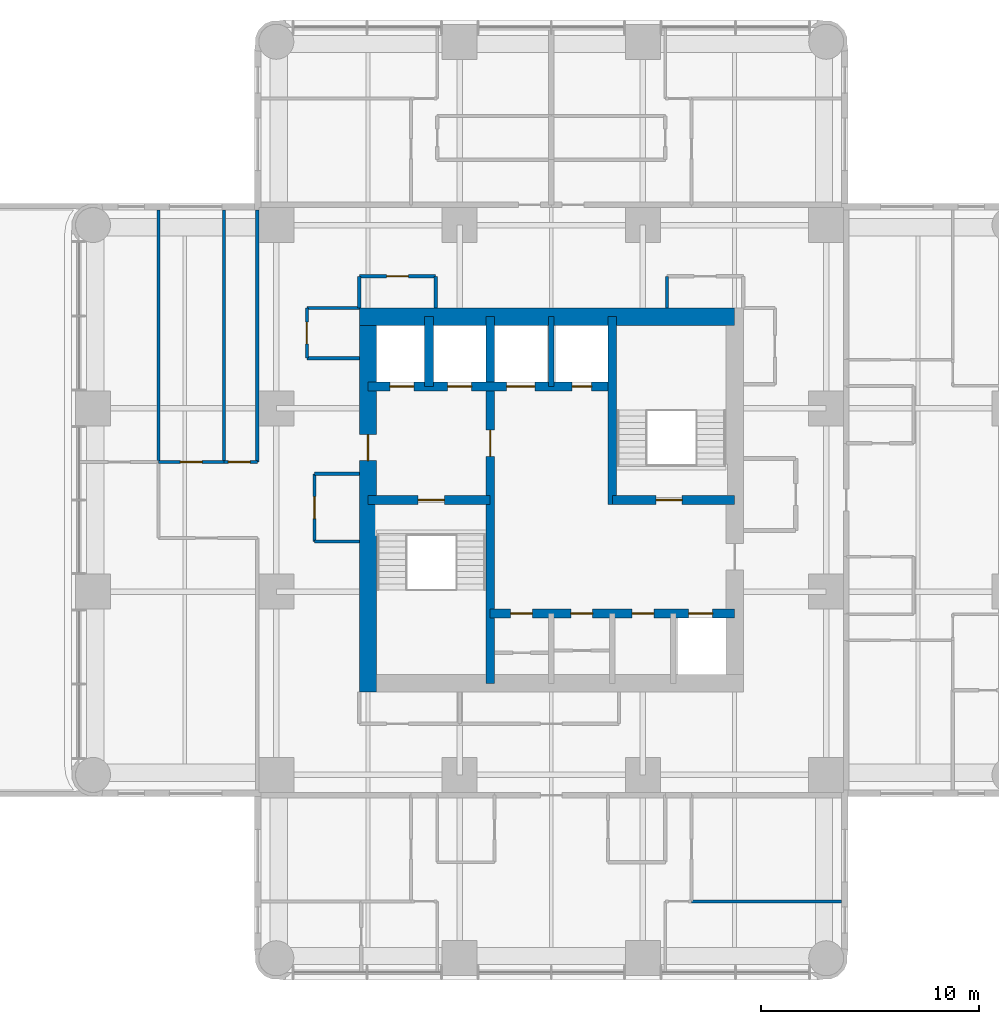
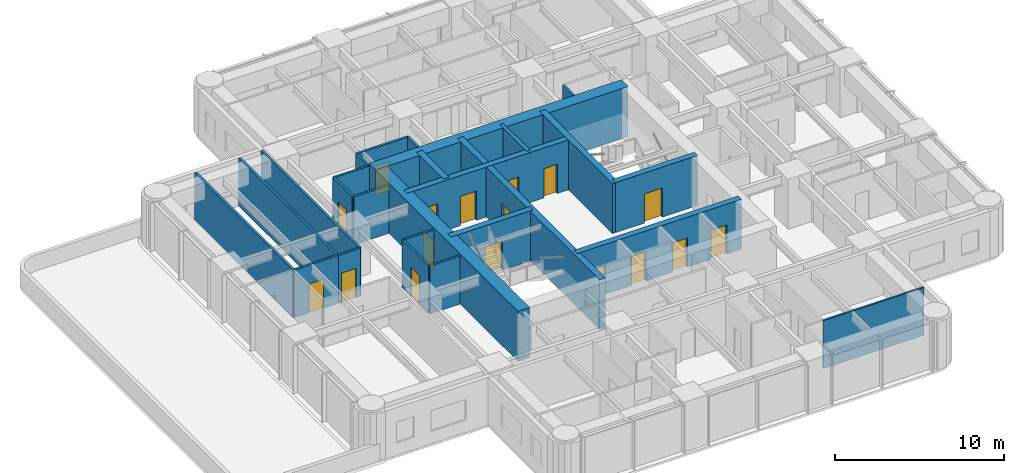
# One storey, part 5 of 9: 26 walls, 17 doors, 17 openings.
"""IFC4 building model written with IfcOpenShell, lengths in metres."""

from ifc_helpers import new_model, si_unit, direction, frame, frame_2d, origin, place, context, subcontext, project, spatial, rectangle, extrude, material, layer, layer_set, type_object, element, fill, save


model = new_model("IFC4")

# Units and contexts
model_context = context("Model", 3, precision=1e-05, world=origin(), true_north=direction((0.0, 1.0)))
body_context = subcontext(model_context, "Body", "Model", "MODEL_VIEW")
ifc_project = project(units=[si_unit("LENGTHUNIT", "METRE"), si_unit("AREAUNIT", "SQUARE_METRE"), si_unit("VOLUMEUNIT", "CUBIC_METRE"), si_unit("PLANEANGLEUNIT", "RADIAN"), si_unit("MASSUNIT", "GRAM", prefix="KILO")], contexts=[model_context])

# Site, building, storey
site_placement = place(None, origin())
site = spatial("IfcSite", under=ifc_project, at=site_placement, CompositionType="ELEMENT")
building_placement = place(site_placement, origin())
building = spatial("IfcBuilding", under=site, at=building_placement, Name="Torre Alcanfor", CompositionType="ELEMENT")
storey_placement = place(building_placement, frame((0.0, 0.0, 254.10009765625)))
storey = spatial("IfcBuildingStorey", under=building, at=storey_placement, Name="L66", CompositionType="ELEMENT", Elevation=254.10009765625)

# Wall
ifc_material_1 = material(Name="Gypsum board on steel studs", Category="steel")
ifc_layer_1 = layer(ifc_material_1, 0.1201171875)
ifc_layer_set_1 = layer_set([ifc_layer_1], Name="Apartment partition 120")
wall_type_1 = type_object("IfcWallType", Name="Apartment partition 120", PredefinedType="PARTITIONING", material=ifc_layer_set_1)
wall_1_placement = place(storey_placement, frame((35.8291015625, 11.0, 0.0), z_axis=(0.0, 0.0, 1.0), x_axis=(1.0, 0.0, 0.0)))
element("IfcWall", 1, at=wall_1_placement, inside=storey, type_object=wall_type_1, Name="Partition L66-SX-BED2 / L66-SX-MASTER", PredefinedType="PARTITIONING", context=body_context, shape_type="SweptSolid", body=[
    extrude(rectangle(XDim=6.870849609375, YDim=0.1201171875, at=frame_2d((3.435546875, 0.0))), origin(), (0.0, 0.0, 1.0), 3.449951171875),
])

# Wall, opening, door
ifc_material_2 = material(Name="Concrete f'c 70 MPa", Category="concrete")
ifc_layer_2 = layer(ifc_material_2, 0.39990234375)
ifc_layer_set_2 = layer_set([ifc_layer_2], Name="Core inner wall 400 f'c70")
wall_type_2 = type_object("IfcWallType", Name="Core inner wall 400 f'c70", PredefinedType="SHEAR", material=ifc_layer_set_2)
wall_2_placement = place(storey_placement, frame((26.60009765625, 21.0, 0.0), z_axis=(0.0, 0.0, 1.0), x_axis=(0.0, 1.0, 0.0)))
wall_2 = element("IfcWall", 2, at=wall_2_placement, inside=storey, type_object=wall_type_2, Name="Core wall X266 L66", PredefinedType="SHEAR", context=body_context, shape_type="SweptSolid", body=[
    extrude(rectangle(XDim=16.800048828125, YDim=0.39990234375, at=frame_2d((8.39990234375, 0.0))), origin(), (0.0, 0.0, 1.0), 3.599853515625),
])
opening_1_placement = place(wall_2_placement, frame((10.39990234375, 0.0, 0.0)))
opening_1 = element("IfcOpeningElement", 3, at=opening_1_placement, cuts=wall_2, Name="Opening D-L1", PredefinedType="OPENING", context=body_context, shape_type="SweptSolid", body=[
    extrude(rectangle(XDim=1.199951171875, YDim=2.10009765625, at=frame_2d((0.60009765625, 1.050048828125))), frame((0.0, 0.2099609375, 0.0), z_axis=(0.0, -1.0, 0.0), x_axis=(1.0, 0.0, 0.0)), (0.0, 0.0, 1.0), 0.419921875),
])
ifc_material_3 = material(Name="Galvanised steel sheet ASTM A653", Category="steel")
door_type_1 = type_object("IfcDoorType", Name="Lobby door FD120 1200x2100", OperationType="SINGLE_SWING_LEFT", PredefinedType="DOOR", material=ifc_material_3)
door_1_placement = place(opening_1_placement, origin())
door_1 = element("IfcDoor", 4, at=door_1_placement, inside=storey, type_object=door_type_1, Name="Lift lobby door L66", OperationType="SINGLE_SWING_LEFT", OverallHeight=2.10009765625, OverallWidth=1.199951171875, PredefinedType="DOOR", context=body_context, shape_type="SweptSolid", body=[
    extrude(rectangle(XDim=1.199951171875, YDim=2.10009765625, at=frame_2d((0.60009765625, 1.050048828125))), frame((0.0, 0.02490234375, 0.0), z_axis=(0.0, -1.0, 0.0), x_axis=(1.0, 0.0, 0.0)), (0.0, 0.0, 1.0), 0.050048828125),
])
fill(opening_1, door_1)

wall_3_placement = place(storey_placement, frame((21.0, 29.39990234375, 0.0), z_axis=(0.0, 0.0, 1.0), x_axis=(1.0, 0.0, 0.0)))
wall_3 = element("IfcWall", 5, at=wall_3_placement, inside=storey, type_object=wall_type_2, Name="Core wall Y294W L66", PredefinedType="SHEAR", context=body_context, shape_type="SweptSolid", body=[
    extrude(rectangle(XDim=5.60009765625, YDim=0.39990234375, at=frame_2d((2.800048828125, 0.0))), origin(), (0.0, 0.0, 1.0), 3.599853515625),
])
opening_2_placement = place(wall_3_placement, frame((2.300048828125, 0.0, 0.0)))
opening_2 = element("IfcOpeningElement", 6, at=opening_2_placement, cuts=wall_3, Name="Opening D-S2", PredefinedType="OPENING", context=body_context, shape_type="SweptSolid", body=[
    extrude(rectangle(XDim=1.199951171875, YDim=2.10009765625, at=frame_2d((0.60009765625, 1.050048828125))), frame((0.0, 0.2099609375, 0.0), z_axis=(0.0, -1.0, 0.0), x_axis=(1.0, 0.0, 0.0)), (0.0, 0.0, 1.0), 0.419921875),
])
ifc_material_4 = material(Name="Galvanised steel sheet ASTM A653", Category="steel")
door_type_2 = type_object("IfcDoorType", Name="Stair enclosure door FD120 1200x2100", OperationType="SINGLE_SWING_LEFT", PredefinedType="DOOR", material=ifc_material_4)
door_2_placement = place(opening_2_placement, frame((1.199951171875, 0.0, 0.0), z_axis=(0.0, 0.0, 1.0), x_axis=(-1.0, 0.0, 0.0)))
door_2 = element("IfcDoor", 7, at=door_2_placement, inside=storey, type_object=door_type_2, Name="Stair S1 door L66", OperationType="SINGLE_SWING_LEFT", OverallHeight=2.10009765625, OverallWidth=1.199951171875, PredefinedType="DOOR", context=body_context, shape_type="SweptSolid", body=[
    extrude(rectangle(XDim=1.199951171875, YDim=2.10009765625, at=frame_2d((0.599853515625, 1.050048828125))), frame((0.0, 0.025146484375, 0.0), z_axis=(0.0, -1.0, 0.0), x_axis=(1.0, 0.0, 0.0)), (0.0, 0.0, 1.0), 0.050048828125),
])
fill(opening_2, door_2)

# Wall, openings, doors
wall_4_placement = place(storey_placement, frame((21.0, 34.60009765625, 0.0), z_axis=(0.0, 0.0, 1.0), x_axis=(1.0, 0.0, 0.0)))
wall_4 = element("IfcWall", 8, at=wall_4_placement, inside=storey, type_object=wall_type_2, Name="Core wall Y346 L66", PredefinedType="SHEAR", context=body_context, shape_type="SweptSolid", body=[
    extrude(rectangle(XDim=11.199951171875, YDim=0.39990234375, at=frame_2d((5.60009765625, 0.0))), origin(), (0.0, 0.0, 1.0), 3.599853515625),
])
opening_3_placement = place(wall_4_placement, frame((9.35009765625, 0.0, 0.0)))
opening_3 = element("IfcOpeningElement", 9, at=opening_3_placement, cuts=wall_4, Name="Opening D-Q1", PredefinedType="OPENING", context=body_context, shape_type="SweptSolid", body=[
    extrude(rectangle(XDim=0.89990234375, YDim=2.10009765625, at=frame_2d((0.449951171875, 1.050048828125))), frame((0.0, 0.2099609375, 0.0), z_axis=(0.0, -1.0, 0.0), x_axis=(1.0, 0.0, 0.0)), (0.0, 0.0, 1.0), 0.419921875),
])
opening_4_placement = place(wall_4_placement, frame((1.0, 0.0, 0.0)))
opening_4 = element("IfcOpeningElement", 10, at=opening_4_placement, cuts=wall_4, Name="Opening LD2", PredefinedType="OPENING", context=body_context, shape_type="SweptSolid", body=[
    extrude(rectangle(XDim=1.10009765625, YDim=2.10009765625, at=frame_2d((0.550048828125, 1.050048828125))), frame((0.0, 0.2099609375, 0.0), z_axis=(0.0, -1.0, 0.0), x_axis=(1.0, 0.0, 0.0)), (0.0, 0.0, 1.0), 0.419921875),
])
opening_5_placement = place(wall_4_placement, frame((3.64990234375, 0.0, 0.0)))
opening_5 = element("IfcOpeningElement", 11, at=opening_5_placement, cuts=wall_4, Name="Opening LD2", PredefinedType="OPENING", context=body_context, shape_type="SweptSolid", body=[
    extrude(rectangle(XDim=1.10009765625, YDim=2.10009765625, at=frame_2d((0.550048828125, 1.050048828125))), frame((0.0, 0.2099609375, 0.0), z_axis=(0.0, -1.0, 0.0), x_axis=(1.0, 0.0, 0.0)), (0.0, 0.0, 1.0), 0.419921875),
])
opening_6_placement = place(wall_4_placement, frame((6.35009765625, 0.0, 0.0)))
opening_6 = element("IfcOpeningElement", 12, at=opening_6_placement, cuts=wall_4, Name="Opening LD3", PredefinedType="OPENING", context=body_context, shape_type="SweptSolid", body=[
    extrude(rectangle(XDim=1.300048828125, YDim=2.10009765625, at=frame_2d((0.64990234375, 1.050048828125))), frame((0.0, 0.2099609375, 0.0), z_axis=(0.0, -1.0, 0.0), x_axis=(1.0, 0.0, 0.0)), (0.0, 0.0, 1.0), 0.419921875),
])
ifc_material_5 = material(Name="Galvanised steel sheet ASTM A653", Category="steel")
door_type_3 = type_object("IfcDoorType", Name="Firefighting lift landing door 1100x2100", OperationType="DOUBLE_DOOR_SLIDING", PredefinedType="DOOR", material=ifc_material_5)
door_3_placement = place(opening_4_placement, origin())
door_3 = element("IfcDoor", 13, at=door_3_placement, inside=storey, type_object=door_type_3, Name="Lift landing door FL1 L66", OperationType="DOUBLE_DOOR_SLIDING", OverallHeight=2.10009765625, OverallWidth=1.10009765625, PredefinedType="DOOR", context=body_context, shape_type="SweptSolid", body=[
    extrude(rectangle(XDim=1.10009765625, YDim=2.10009765625, at=frame_2d((0.550048828125, 1.050048828125))), frame((0.0, 0.02490234375, 0.0), z_axis=(0.0, -1.0, 0.0), x_axis=(1.0, 0.0, 0.0)), (0.0, 0.0, 1.0), 0.050048828125),
])
fill(opening_4, door_3)
door_4_placement = place(opening_5_placement, origin())
door_4 = element("IfcDoor", 14, at=door_4_placement, inside=storey, type_object=door_type_3, Name="Lift landing door FL2 L66", OperationType="DOUBLE_DOOR_SLIDING", OverallHeight=2.10009765625, OverallWidth=1.10009765625, PredefinedType="DOOR", context=body_context, shape_type="SweptSolid", body=[
    extrude(rectangle(XDim=1.10009765625, YDim=2.10009765625, at=frame_2d((0.550048828125, 1.050048828125))), frame((0.0, 0.02490234375, 0.0), z_axis=(0.0, -1.0, 0.0), x_axis=(1.0, 0.0, 0.0)), (0.0, 0.0, 1.0), 0.050048828125),
])
fill(opening_5, door_4)
ifc_material_6 = material(Name="Galvanised steel sheet ASTM A653", Category="steel")
door_type_4 = type_object("IfcDoorType", Name="Riser access door FD120 900x2100", OperationType="SINGLE_SWING_LEFT", PredefinedType="DOOR", material=ifc_material_6)
door_5_placement = place(opening_3_placement, origin())
door_5 = element("IfcDoor", 15, at=door_5_placement, inside=storey, type_object=door_type_4, Name="Riser door L66", OperationType="SINGLE_SWING_LEFT", OverallHeight=2.10009765625, OverallWidth=0.89990234375, PredefinedType="DOOR", context=body_context, shape_type="SweptSolid", body=[
    extrude(rectangle(XDim=0.89990234375, YDim=2.10009765625, at=frame_2d((0.449951171875, 1.050048828125))), frame((0.0, 0.02490234375, 0.0), z_axis=(0.0, -1.0, 0.0), x_axis=(1.0, 0.0, 0.0)), (0.0, 0.0, 1.0), 0.050048828125),
])
fill(opening_3, door_5)
ifc_material_7 = material(Name="Galvanised steel sheet ASTM A653", Category="steel")
door_type_5 = type_object("IfcDoorType", Name="Service lift landing door 1300x2100", OperationType="DOUBLE_DOOR_SLIDING", PredefinedType="DOOR", material=ifc_material_7)
door_6_placement = place(opening_6_placement, origin())
door_6 = element("IfcDoor", 16, at=door_6_placement, inside=storey, type_object=door_type_5, Name="Lift landing door SL1 L66", OperationType="DOUBLE_DOOR_SLIDING", OverallHeight=2.10009765625, OverallWidth=1.300048828125, PredefinedType="DOOR", context=body_context, shape_type="SweptSolid", body=[
    extrude(rectangle(XDim=1.300048828125, YDim=2.10009765625, at=frame_2d((0.64990234375, 1.050048828125))), frame((0.0, 0.02490234375, 0.0), z_axis=(0.0, -1.0, 0.0), x_axis=(1.0, 0.0, 0.0)), (0.0, 0.0, 1.0), 0.050048828125),
])
fill(opening_6, door_6)

# Wall
wall_5_placement = place(storey_placement, frame((23.800048828125, 34.60009765625, 0.0), z_axis=(0.0, 0.0, 1.0), x_axis=(0.0, 1.0, 0.0)))
element("IfcWall", 17, at=wall_5_placement, inside=storey, type_object=wall_type_2, Name="Core wall X238 L66", PredefinedType="SHEAR", context=body_context, shape_type="SweptSolid", body=[
    extrude(rectangle(XDim=3.199951171875, YDim=0.39990234375, at=frame_2d((1.60009765625, 0.0))), origin(), (0.0, 0.0, 1.0), 3.599853515625),
])

# Wall, openings, doors
wall_6_placement = place(storey_placement, frame((26.60009765625, 24.199951171875, 0.0), z_axis=(0.0, 0.0, 1.0), x_axis=(1.0, 0.0, 0.0)))
wall_6 = element("IfcWall", 18, at=wall_6_placement, inside=storey, type_object=wall_type_2, Name="Core wall Y242 L66", PredefinedType="SHEAR", context=body_context, shape_type="SweptSolid", body=[
    extrude(rectangle(XDim=11.199951171875, YDim=0.39990234375, at=frame_2d((5.60009765625, 0.0))), origin(), (0.0, 0.0, 1.0), 3.599853515625),
])
opening_7_placement = place(wall_6_placement, frame((0.9375, 0.0, 0.0)))
opening_7 = element("IfcOpeningElement", 19, at=opening_7_placement, cuts=wall_6, Name="Opening D-K1", PredefinedType="OPENING", context=body_context, shape_type="SweptSolid", body=[
    extrude(rectangle(XDim=1.0, YDim=2.10009765625, at=frame_2d((0.5, 1.050048828125))), frame((0.0, 0.2099609375, 0.0), z_axis=(0.0, -1.0, 0.0), x_axis=(1.0, 0.0, 0.0)), (0.0, 0.0, 1.0), 0.419921875),
])
opening_8_placement = place(wall_6_placement, frame((3.699951171875, 0.0, 0.0)))
opening_8 = element("IfcOpeningElement", 20, at=opening_8_placement, cuts=wall_6, Name="Opening D-K1", PredefinedType="OPENING", context=body_context, shape_type="SweptSolid", body=[
    extrude(rectangle(XDim=1.0, YDim=2.10009765625, at=frame_2d((0.5, 1.050048828125))), frame((0.0, 0.2099609375, 0.0), z_axis=(0.0, -1.0, 0.0), x_axis=(1.0, 0.0, 0.0)), (0.0, 0.0, 1.0), 0.419921875),
])
opening_9_placement = place(wall_6_placement, frame((6.5, 0.0, 0.0)))
opening_9 = element("IfcOpeningElement", 21, at=opening_9_placement, cuts=wall_6, Name="Opening D-K1", PredefinedType="OPENING", context=body_context, shape_type="SweptSolid", body=[
    extrude(rectangle(XDim=1.0, YDim=2.10009765625, at=frame_2d((0.5, 1.050048828125))), frame((0.0, 0.2099609375, 0.0), z_axis=(0.0, -1.0, 0.0), x_axis=(1.0, 0.0, 0.0)), (0.0, 0.0, 1.0), 0.419921875),
])
opening_10_placement = place(wall_6_placement, frame((9.10009765625, 0.0, 0.0)))
opening_10 = element("IfcOpeningElement", 22, at=opening_10_placement, cuts=wall_6, Name="Opening LD1", PredefinedType="OPENING", context=body_context, shape_type="SweptSolid", body=[
    extrude(rectangle(XDim=1.10009765625, YDim=2.10009765625, at=frame_2d((0.550048828125, 1.050048828125))), frame((0.0, 0.2099609375, 0.0), z_axis=(0.0, -1.0, 0.0), x_axis=(1.0, 0.0, 0.0)), (0.0, 0.0, 1.0), 0.419921875),
])
ifc_material_8 = material(Name="Galvanised steel sheet ASTM A653", Category="steel")
door_type_6 = type_object("IfcDoorType", Name="Core room door FD60 1000x2100", OperationType="SINGLE_SWING_LEFT", PredefinedType="DOOR", material=ifc_material_8)
door_7_placement = place(opening_7_placement, frame((1.0, 0.0, 0.0), z_axis=(0.0, 0.0, 1.0), x_axis=(-1.0, 0.0, 0.0)))
door_7 = element("IfcDoor", 23, at=door_7_placement, inside=storey, type_object=door_type_6, Name="Cleaners' store door L66", OperationType="SINGLE_SWING_RIGHT", OverallHeight=2.10009765625, OverallWidth=1.0, PredefinedType="DOOR", context=body_context, shape_type="SweptSolid", body=[
    extrude(rectangle(XDim=1.0, YDim=2.10009765625, at=frame_2d((0.5, 1.050048828125))), frame((0.0, 0.025146484375, 0.0), z_axis=(0.0, -1.0, 0.0), x_axis=(1.0, 0.0, 0.0)), (0.0, 0.0, 1.0), 0.050048828125),
])
fill(opening_7, door_7)
door_8_placement = place(opening_8_placement, frame((1.0, 0.0, 0.0), z_axis=(0.0, 0.0, 1.0), x_axis=(-1.0, 0.0, 0.0)))
door_8 = element("IfcDoor", 24, at=door_8_placement, inside=storey, type_object=door_type_6, Name="Housekeeping store door L66", OperationType="SINGLE_SWING_RIGHT", OverallHeight=2.10009765625, OverallWidth=1.0, PredefinedType="DOOR", context=body_context, shape_type="SweptSolid", body=[
    extrude(rectangle(XDim=1.0, YDim=2.10009765625, at=frame_2d((0.5, 1.050048828125))), frame((0.0, 0.025146484375, 0.0), z_axis=(0.0, -1.0, 0.0), x_axis=(1.0, 0.0, 0.0)), (0.0, 0.0, 1.0), 0.050048828125),
])
fill(opening_8, door_8)
door_9_placement = place(opening_9_placement, frame((1.0, 0.0, 0.0), z_axis=(0.0, 0.0, 1.0), x_axis=(-1.0, 0.0, 0.0)))
door_9 = element("IfcDoor", 25, at=door_9_placement, inside=storey, type_object=door_type_6, Name="Pantry door L66", OperationType="SINGLE_SWING_RIGHT", OverallHeight=2.10009765625, OverallWidth=1.0, PredefinedType="DOOR", context=body_context, shape_type="SweptSolid", body=[
    extrude(rectangle(XDim=1.0, YDim=2.10009765625, at=frame_2d((0.5, 1.050048828125))), frame((0.0, 0.025146484375, 0.0), z_axis=(0.0, -1.0, 0.0), x_axis=(1.0, 0.0, 0.0)), (0.0, 0.0, 1.0), 0.050048828125),
])
fill(opening_9, door_9)
ifc_material_9 = material(Name="Galvanised steel sheet ASTM A653", Category="steel")
door_type_7 = type_object("IfcDoorType", Name="Lift landing door 1100x2100", OperationType="DOUBLE_DOOR_SLIDING", PredefinedType="DOOR", material=ifc_material_9)
door_10_placement = place(opening_10_placement, origin())
door_10 = element("IfcDoor", 26, at=door_10_placement, inside=storey, type_object=door_type_7, Name="Lift landing door PA4 L66", OperationType="DOUBLE_DOOR_SLIDING", OverallHeight=2.10009765625, OverallWidth=1.10009765625, PredefinedType="DOOR", context=body_context, shape_type="SweptSolid", body=[
    extrude(rectangle(XDim=1.10009765625, YDim=2.10009765625, at=frame_2d((0.550048828125, 1.050048828125))), frame((0.0, 0.02490234375, 0.0), z_axis=(0.0, -1.0, 0.0), x_axis=(1.0, 0.0, 0.0)), (0.0, 0.0, 1.0), 0.050048828125),
])
fill(opening_10, door_10)

# Wall
wall_7_placement = place(storey_placement, frame((32.199951171875, 29.199951171875, 0.0), z_axis=(0.0, 0.0, 1.0), x_axis=(0.0, 1.0, 0.0)))
element("IfcWall", 27, at=wall_7_placement, inside=storey, type_object=wall_type_2, Name="Core wall X322N L66", PredefinedType="SHEAR", context=body_context, shape_type="SweptSolid", body=[
    extrude(rectangle(XDim=8.60009765625, YDim=0.39990234375, at=frame_2d((4.300048828125, 0.0))), origin(), (0.0, 0.0, 1.0), 3.599853515625),
])

# Wall, opening, door
wall_8_placement = place(storey_placement, frame((32.199951171875, 29.39990234375, 0.0), z_axis=(0.0, 0.0, 1.0), x_axis=(1.0, 0.0, 0.0)))
wall_8 = element("IfcWall", 28, at=wall_8_placement, inside=storey, type_object=wall_type_2, Name="Core wall Y294E L66", PredefinedType="SHEAR", context=body_context, shape_type="SweptSolid", body=[
    extrude(rectangle(XDim=5.60009765625, YDim=0.39990234375, at=frame_2d((2.800048828125, 0.0))), origin(), (0.0, 0.0, 1.0), 3.599853515625),
])
opening_11_placement = place(wall_8_placement, frame((2.0, 0.0, 0.0)))
opening_11 = element("IfcOpeningElement", 29, at=opening_11_placement, cuts=wall_8, Name="Opening D-S2", PredefinedType="OPENING", context=body_context, shape_type="SweptSolid", body=[
    extrude(rectangle(XDim=1.199951171875, YDim=2.10009765625, at=frame_2d((0.60009765625, 1.050048828125))), frame((0.0, 0.2099609375, 0.0), z_axis=(0.0, -1.0, 0.0), x_axis=(1.0, 0.0, 0.0)), (0.0, 0.0, 1.0), 0.419921875),
])
door_11_placement = place(opening_11_placement, origin())
door_11 = element("IfcDoor", 30, at=door_11_placement, inside=storey, type_object=door_type_2, Name="Stair S2 door L66", OperationType="SINGLE_SWING_LEFT", OverallHeight=2.10009765625, OverallWidth=1.199951171875, PredefinedType="DOOR", context=body_context, shape_type="SweptSolid", body=[
    extrude(rectangle(XDim=1.199951171875, YDim=2.10009765625, at=frame_2d((0.60009765625, 1.050048828125))), frame((0.0, 0.02490234375, 0.0), z_axis=(0.0, -1.0, 0.0), x_axis=(1.0, 0.0, 0.0)), (0.0, 0.0, 1.0), 0.050048828125),
])
fill(opening_11, door_11)

# Walls
ifc_material_10 = material(Name="Concrete f'c 70 MPa", Category="concrete")
ifc_layer_3 = layer(ifc_material_10, 0.25)
ifc_layer_set_3 = layer_set([ifc_layer_3], Name="Core shaft wall 250 f'c70")
wall_type_3 = type_object("IfcWallType", Name="Core shaft wall 250 f'c70", PredefinedType="SHEAR", material=ifc_layer_set_3)
wall_9_placement = place(storey_placement, frame((29.39990234375, 34.60009765625, 0.0), z_axis=(0.0, 0.0, 1.0), x_axis=(0.0, 1.0, 0.0)))
element("IfcWall", 31, at=wall_9_placement, inside=storey, type_object=wall_type_3, Name="Core wall X294N L66", PredefinedType="SHEAR", context=body_context, shape_type="SweptSolid", body=[
    extrude(rectangle(XDim=3.199951171875, YDim=0.25, at=frame_2d((1.60009765625, 0.0))), origin(), (0.0, 0.0, 1.0), 3.599853515625),
])
ifc_material_11 = material(Name="Concrete f'c 70 MPa", Category="concrete")
ifc_layer_4 = layer(ifc_material_11, 0.800048828125)
ifc_layer_set_4 = layer_set([ifc_layer_4], Name="Core wall 800 f'c70")
wall_type_4 = type_object("IfcWallType", Name="Core wall 800 f'c70", PredefinedType="SHEAR", material=ifc_layer_set_4)
wall_10_placement = place(storey_placement, frame((37.800048828125, 37.800048828125, 0.0), z_axis=(0.0, 0.0, 1.0), x_axis=(-1.0, 0.0, 0.0)))
element("IfcWall", 32, at=wall_10_placement, inside=storey, type_object=wall_type_4, Name="Core wall OUT-N L66", PredefinedType="SHEAR", context=body_context, shape_type="SweptSolid", body=[
    extrude(rectangle(XDim=17.199951171875, YDim=0.800048828125, at=frame_2d((8.60009765625, 0.0))), origin(), (0.0, 0.0, 1.0), 3.599853515625),
])

# Wall, opening, door
wall_11_placement = place(storey_placement, frame((21.0, 37.800048828125, 0.0), z_axis=(0.0, 0.0, 1.0), x_axis=(0.0, -1.0, 0.0)))
wall_11 = element("IfcWall", 33, at=wall_11_placement, inside=storey, type_object=wall_type_4, Name="Core wall OUT-W L66", PredefinedType="SHEAR", context=body_context, shape_type="SweptSolid", body=[
    extrude(rectangle(XDim=17.199951171875, YDim=0.800048828125, at=frame_2d((8.60009765625, 0.0))), origin(), (0.0, 0.0, 1.0), 3.599853515625),
])
opening_12_placement = place(wall_11_placement, frame((5.39990234375, 0.0, 0.0)))
opening_12 = element("IfcOpeningElement", 34, at=opening_12_placement, cuts=wall_11, Name="Opening D-L1", PredefinedType="OPENING", context=body_context, shape_type="SweptSolid", body=[
    extrude(rectangle(XDim=1.199951171875, YDim=2.10009765625, at=frame_2d((0.60009765625, 1.050048828125))), frame((0.0, 0.409912109375, 0.0), z_axis=(0.0, -1.0, 0.0), x_axis=(1.0, 0.0, 0.0)), (0.0, 0.0, 1.0), 0.820068359375),
])
door_12_placement = place(opening_12_placement, origin())
door_12 = element("IfcDoor", 35, at=door_12_placement, inside=storey, type_object=door_type_1, Name="Firefighting lobby door L66", OperationType="SINGLE_SWING_LEFT", OverallHeight=2.10009765625, OverallWidth=1.199951171875, PredefinedType="DOOR", context=body_context, shape_type="SweptSolid", body=[
    extrude(rectangle(XDim=1.199951171875, YDim=2.10009765625, at=frame_2d((0.60009765625, 1.050048828125))), frame((0.0, 0.02490234375, 0.0), z_axis=(0.0, -1.0, 0.0), x_axis=(1.0, 0.0, 0.0)), (0.0, 0.0, 1.0), 0.050048828125),
])
fill(opening_12, door_12)

# Wall
ifc_material_12 = material(Name="Concrete block masonry, hollow blocks NMX-C-404 9 MPa", Category="masonry")
ifc_layer_5 = layer(ifc_material_12, 0.14990234375)
ifc_layer_set_5 = layer_set([ifc_layer_5], Name="Residents' room partition 150")
wall_type_5 = type_object("IfcWallType", Name="Residents' room partition 150", PredefinedType="PARTITIONING", material=ifc_layer_set_5)
wall_12_placement = place(storey_placement, frame((24.10009765625, 38.199951171875, 0.0), z_axis=(0.0, 0.0, 1.0), x_axis=(0.0, 1.0, 0.0)))
element("IfcWall", 36, at=wall_12_placement, inside=storey, type_object=wall_type_5, Name="Partition L66-CORR / L66-G01", PredefinedType="PARTITIONING", context=body_context, shape_type="SweptSolid", body=[
    extrude(rectangle(XDim=1.449951171875, YDim=0.14990234375, at=frame_2d((0.72509765625, 0.0))), origin(), (0.0, 0.0, 1.0), 3.449951171875),
])

# Wall, opening, door
wall_13_placement = place(storey_placement, frame((24.10009765625, 39.64990234375, 0.0), z_axis=(0.0, 0.0, 1.0), x_axis=(-1.0, 0.0, 0.0)))
wall_13 = element("IfcWall", 37, at=wall_13_placement, inside=storey, type_object=wall_type_5, Name="Partition L66-CORR / L66-G01", PredefinedType="PARTITIONING", context=body_context, shape_type="SweptSolid", body=[
    extrude(rectangle(XDim=3.5, YDim=0.14990234375, at=frame_2d((1.75, 0.0))), origin(), (0.0, 0.0, 1.0), 3.449951171875),
])
opening_13_placement = place(wall_13_placement, frame((1.25, 0.0, 0.0)))
opening_13 = element("IfcOpeningElement", 38, at=opening_13_placement, cuts=wall_13, Name="Opening D-M1", PredefinedType="OPENING", context=body_context, shape_type="SweptSolid", body=[
    extrude(rectangle(XDim=1.0, YDim=2.10009765625, at=frame_2d((0.5, 1.050048828125))), frame((0.0, 0.0849609375, 0.0), z_axis=(0.0, -1.0, 0.0), x_axis=(1.0, 0.0, 0.0)), (0.0, 0.0, 1.0), 0.169921875),
])
ifc_material_13 = material(Name="Timber", Category="wood")
door_type_8 = type_object("IfcDoorType", Name="Residents' room door 1000x2100", OperationType="SINGLE_SWING_LEFT", PredefinedType="DOOR", material=ifc_material_13)
door_13_placement = place(opening_13_placement, origin())
door_13 = element("IfcDoor", 39, at=door_13_placement, inside=storey, type_object=door_type_8, Name="Door L66-G01 residents' lockers", OperationType="SINGLE_SWING_LEFT", OverallHeight=2.10009765625, OverallWidth=1.0, PredefinedType="DOOR", context=body_context, shape_type="SweptSolid", body=[
    extrude(rectangle(XDim=1.0, YDim=2.10009765625, at=frame_2d((0.5, 1.050048828125))), frame((0.0, 0.02490234375, 0.0), z_axis=(0.0, -1.0, 0.0), x_axis=(1.0, 0.0, 0.0)), (0.0, 0.0, 1.0), 0.050048828125),
])
fill(opening_13, door_13)

# Walls
for number, where, z_axis, x_axis, name in (
    (40, (20.60009765625, 39.64990234375, 0.0), (0.0, 0.0, 1.0), (0.0, -1.0, 0.0), "Partition L66-CORR / L66-G01"),
    (41, (34.699951171875, 39.64990234375, 0.0), (0.0, 0.0, 1.0), (0.0, -1.0, 0.0), "Partition L66-CORR / L66-G02"),
):
    element("IfcWall", number, at=place(storey_placement, frame(where, z_axis=z_axis, x_axis=x_axis)), inside=storey, type_object=wall_type_5, Name=name, PredefinedType="PARTITIONING", context=body_context, shape_type="SweptSolid", body=[
        extrude(rectangle(XDim=1.449951171875, YDim=0.14990234375, at=frame_2d((0.72509765625, 0.0))), origin(), (0.0, 0.0, 1.0), 3.449951171875),
    ])
wall_14_placement = place(storey_placement, frame((20.60009765625, 30.60009765625, 0.0), z_axis=(0.0, 0.0, 1.0), x_axis=(-1.0, 0.0, 0.0)))
element("IfcWall", 42, at=wall_14_placement, inside=storey, type_object=wall_type_5, Name="Partition L66-CORR / L66-G07", PredefinedType="PARTITIONING", context=body_context, shape_type="SweptSolid", body=[
    extrude(rectangle(XDim=2.050048828125, YDim=0.14990234375, at=frame_2d((1.02490234375, 0.0))), origin(), (0.0, 0.0, 1.0), 3.449951171875),
])

# Wall, opening, door
wall_15_placement = place(storey_placement, frame((18.550048828125, 30.60009765625, 0.0), z_axis=(0.0, 0.0, 1.0), x_axis=(0.0, -1.0, 0.0)))
wall_15 = element("IfcWall", 43, at=wall_15_placement, inside=storey, type_object=wall_type_5, Name="Partition L66-CORR / L66-G07", PredefinedType="PARTITIONING", context=body_context, shape_type="SweptSolid", body=[
    extrude(rectangle(XDim=3.10009765625, YDim=0.14990234375, at=frame_2d((1.550048828125, 0.0))), origin(), (0.0, 0.0, 1.0), 3.449951171875),
])
opening_14_placement = place(wall_15_placement, frame((1.050048828125, 0.0, 0.0)))
opening_14 = element("IfcOpeningElement", 44, at=opening_14_placement, cuts=wall_15, Name="Opening D-M1", PredefinedType="OPENING", context=body_context, shape_type="SweptSolid", body=[
    extrude(rectangle(XDim=1.0, YDim=2.10009765625, at=frame_2d((0.5, 1.050048828125))), frame((0.0, 0.0849609375, 0.0), z_axis=(0.0, -1.0, 0.0), x_axis=(1.0, 0.0, 0.0)), (0.0, 0.0, 1.0), 0.169921875),
])
door_14_placement = place(opening_14_placement, origin())
door_14 = element("IfcDoor", 45, at=door_14_placement, inside=storey, type_object=door_type_8, Name="Door L66-G07 linen store", OperationType="SINGLE_SWING_LEFT", OverallHeight=2.10009765625, OverallWidth=1.0, PredefinedType="DOOR", context=body_context, shape_type="SweptSolid", body=[
    extrude(rectangle(XDim=1.0, YDim=2.10009765625, at=frame_2d((0.5, 1.050048828125))), frame((0.0, 0.02490234375, 0.0), z_axis=(0.0, -1.0, 0.0), x_axis=(1.0, 0.0, 0.0)), (0.0, 0.0, 1.0), 0.050048828125),
])
fill(opening_14, door_14)

# Walls
wall_16_placement = place(storey_placement, frame((18.550048828125, 27.5, 0.0), z_axis=(0.0, 0.0, 1.0), x_axis=(1.0, 0.0, 0.0)))
element("IfcWall", 46, at=wall_16_placement, inside=storey, type_object=wall_type_5, Name="Partition L66-CORR / L66-G07", PredefinedType="PARTITIONING", context=body_context, shape_type="SweptSolid", body=[
    extrude(rectangle(XDim=2.050048828125, YDim=0.14990234375, at=frame_2d((1.02490234375, 0.0))), origin(), (0.0, 0.0, 1.0), 3.449951171875),
])
wall_17_placement = place(storey_placement, frame((20.60009765625, 38.199951171875, 0.0), z_axis=(0.0, 0.0, 1.0), x_axis=(-1.0, 0.0, 0.0)))
element("IfcWall", 47, at=wall_17_placement, inside=storey, type_object=wall_type_5, Name="Partition L66-CORR / L66-G08", PredefinedType="PARTITIONING", context=body_context, shape_type="SweptSolid", body=[
    extrude(rectangle(XDim=2.400146484375, YDim=0.14990234375, at=frame_2d((1.2001953125, 0.0))), origin(), (0.0, 0.0, 1.0), 3.449951171875),
])

# Wall, opening, door
wall_18_placement = place(storey_placement, frame((18.199951171875, 38.199951171875, 0.0), z_axis=(0.0, 0.0, 1.0), x_axis=(0.0, -1.0, 0.0)))
wall_18 = element("IfcWall", 48, at=wall_18_placement, inside=storey, type_object=wall_type_5, Name="Partition L66-CORR / L66-G08", PredefinedType="PARTITIONING", context=body_context, shape_type="SweptSolid", body=[
    extrude(rectangle(XDim=2.300048828125, YDim=0.14990234375, at=frame_2d((1.14990234375, 0.0))), origin(), (0.0, 0.0, 1.0), 3.449951171875),
])
opening_15_placement = place(wall_18_placement, frame((0.64990234375, 0.0, 0.0)))
opening_15 = element("IfcOpeningElement", 49, at=opening_15_placement, cuts=wall_18, Name="Opening D-M1", PredefinedType="OPENING", context=body_context, shape_type="SweptSolid", body=[
    extrude(rectangle(XDim=1.0, YDim=2.10009765625, at=frame_2d((0.5, 1.050048828125))), frame((0.0, 0.0849609375, 0.0), z_axis=(0.0, -1.0, 0.0), x_axis=(1.0, 0.0, 0.0)), (0.0, 0.0, 1.0), 0.169921875),
])
door_15_placement = place(opening_15_placement, origin())
door_15 = element("IfcDoor", 50, at=door_15_placement, inside=storey, type_object=door_type_8, Name="Door L66-G08 residents' lockers", OperationType="SINGLE_SWING_LEFT", OverallHeight=2.10009765625, OverallWidth=1.0, PredefinedType="DOOR", context=body_context, shape_type="SweptSolid", body=[
    extrude(rectangle(XDim=1.0, YDim=2.10009765625, at=frame_2d((0.5, 1.050048828125))), frame((0.0, 0.02490234375, 0.0), z_axis=(0.0, -1.0, 0.0), x_axis=(1.0, 0.0, 0.0)), (0.0, 0.0, 1.0), 0.050048828125),
])
fill(opening_15, door_15)

# Walls
wall_19_placement = place(storey_placement, frame((18.199951171875, 35.89990234375, 0.0), z_axis=(0.0, 0.0, 1.0), x_axis=(1.0, 0.0, 0.0)))
element("IfcWall", 51, at=wall_19_placement, inside=storey, type_object=wall_type_5, Name="Partition L66-CORR / L66-G08", PredefinedType="PARTITIONING", context=body_context, shape_type="SweptSolid", body=[
    extrude(rectangle(XDim=2.400146484375, YDim=0.14990234375, at=frame_2d((1.2001953125, 0.0))), origin(), (0.0, 0.0, 1.0), 3.449951171875),
])
wall_20_placement = place(storey_placement, frame((15.925048828125, 31.14306640625, 0.0), z_axis=(0.0, 0.0, 1.0), x_axis=(0.0, 1.0, 0.0)))
element("IfcWall", 52, at=wall_20_placement, inside=storey, type_object=wall_type_5, Name="Partition L66-CORR / L66-W-WC", PredefinedType="PARTITIONING", context=body_context, shape_type="SweptSolid", body=[
    extrude(rectangle(XDim=11.556884765625, YDim=0.14990234375, at=frame_2d((5.7783203125, 0.0))), origin(), (0.0, 0.0, 1.0), 3.449951171875),
])

# Wall, opening, door
wall_21_placement = place(storey_placement, frame((15.925048828125, 31.14306640625, 0.0), z_axis=(0.0, 0.0, 1.0), x_axis=(-1.0, 0.0, 0.0)))
wall_21 = element("IfcWall", 53, at=wall_21_placement, inside=storey, type_object=wall_type_5, Name="Partition L66-W-ACORR / L66-W-WC", PredefinedType="PARTITIONING", context=body_context, shape_type="SweptSolid", body=[
    extrude(rectangle(XDim=1.525146484375, YDim=0.14990234375, at=frame_2d((0.7626953125, 0.0))), origin(), (0.0, 0.0, 1.0), 3.449951171875),
])
opening_16_placement = place(wall_21_placement, frame((0.324951171875, 0.0, 0.0)))
opening_16 = element("IfcOpeningElement", 54, at=opening_16_placement, cuts=wall_21, Name="Opening D-W2", PredefinedType="OPENING", context=body_context, shape_type="SweptSolid", body=[
    extrude(rectangle(XDim=1.0, YDim=2.10009765625, at=frame_2d((0.5, 1.050048828125))), frame((0.0, 0.0849609375, 0.0), z_axis=(0.0, -1.0, 0.0), x_axis=(1.0, 0.0, 0.0)), (0.0, 0.0, 1.0), 0.169921875),
])
ifc_material_14 = material(Name="Timber", Category="wood")
door_type_9 = type_object("IfcDoorType", Name="Accessible WC door 1000x2100", OperationType="SINGLE_SWING_LEFT", PredefinedType="DOOR", material=ifc_material_14)
door_16_placement = place(opening_16_placement, origin())
door_16 = element("IfcDoor", 55, at=door_16_placement, inside=storey, type_object=door_type_9, Name="Door L66 W wc", OperationType="SINGLE_SWING_LEFT", OverallHeight=2.10009765625, OverallWidth=1.0, PredefinedType="DOOR", context=body_context, shape_type="SweptSolid", body=[
    extrude(rectangle(XDim=1.0, YDim=2.10009765625, at=frame_2d((0.5, 1.050048828125))), frame((0.0, 0.02490234375, 0.0), z_axis=(0.0, -1.0, 0.0), x_axis=(1.0, 0.0, 0.0)), (0.0, 0.0, 1.0), 0.050048828125),
])
fill(opening_16, door_16)

wall_22_placement = place(storey_placement, frame((14.39990234375, 31.14306640625, 0.0), z_axis=(0.0, 0.0, 1.0), x_axis=(-1.0, 0.0, 0.0)))
wall_22 = element("IfcWall", 56, at=wall_22_placement, inside=storey, type_object=wall_type_5, Name="Partition L66-W-ACORR / L66-W-KITCH", PredefinedType="PARTITIONING", context=body_context, shape_type="SweptSolid", body=[
    extrude(rectangle(XDim=3.0, YDim=0.14990234375, at=frame_2d((1.5, 0.0))), origin(), (0.0, 0.0, 1.0), 3.449951171875),
])
opening_17_placement = place(wall_22_placement, frame((1.0, 0.0, 0.0)))
opening_17 = element("IfcOpeningElement", 57, at=opening_17_placement, cuts=wall_22, Name="Opening D-M1", PredefinedType="OPENING", context=body_context, shape_type="SweptSolid", body=[
    extrude(rectangle(XDim=1.0, YDim=2.10009765625, at=frame_2d((0.5, 1.050048828125))), frame((0.0, 0.0849609375, 0.0), z_axis=(0.0, -1.0, 0.0), x_axis=(1.0, 0.0, 0.0)), (0.0, 0.0, 1.0), 0.169921875),
])
door_17_placement = place(opening_17_placement, frame((1.0, 0.0, 0.0), z_axis=(0.0, 0.0, 1.0), x_axis=(-1.0, 0.0, 0.0)))
door_17 = element("IfcDoor", 58, at=door_17_placement, inside=storey, type_object=door_type_8, Name="Door L66 W kitch", OperationType="SINGLE_SWING_RIGHT", OverallHeight=2.10009765625, OverallWidth=1.0, PredefinedType="DOOR", context=body_context, shape_type="SweptSolid", body=[
    extrude(rectangle(XDim=1.0, YDim=2.10009765625, at=frame_2d((0.5, 1.050048828125))), frame((0.0, 0.025146484375, 0.0), z_axis=(0.0, -1.0, 0.0), x_axis=(1.0, 0.0, 0.0)), (0.0, 0.0, 1.0), 0.050048828125),
])
fill(opening_17, door_17)

# Walls
for number, where, z_axis, x_axis, name in (
    (59, (14.39990234375, 42.699951171875, 0.0), (0.0, 0.0, 1.0), (0.0, -1.0, 0.0), "Partition L66-W-WC / L66-W-KITCH"),
    (60, (11.39990234375, 42.699951171875, 0.0), (0.0, 0.0, 1.0), (0.0, -1.0, 0.0), "Partition L66-W-KITCH / L66-W-WGARD"),
):
    element("IfcWall", number, at=place(storey_placement, frame(where, z_axis=z_axis, x_axis=x_axis)), inside=storey, type_object=wall_type_5, Name=name, PredefinedType="PARTITIONING", context=body_context, shape_type="SweptSolid", body=[
        extrude(rectangle(XDim=11.556884765625, YDim=0.14990234375, at=frame_2d((5.7783203125, 0.0))), origin(), (0.0, 0.0, 1.0), 3.449951171875),
    ])

save(model, "model.ifc")
